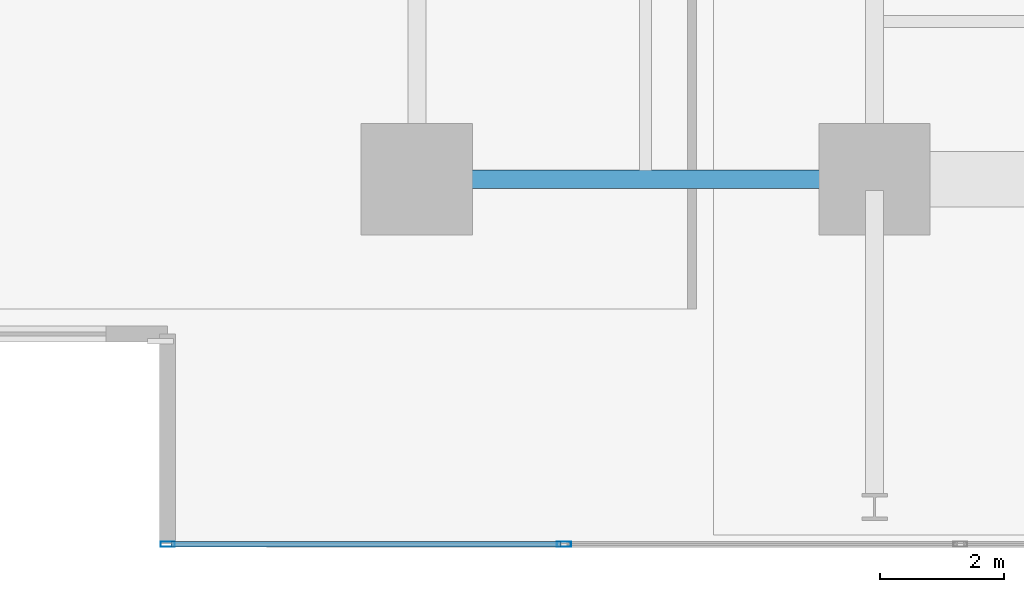
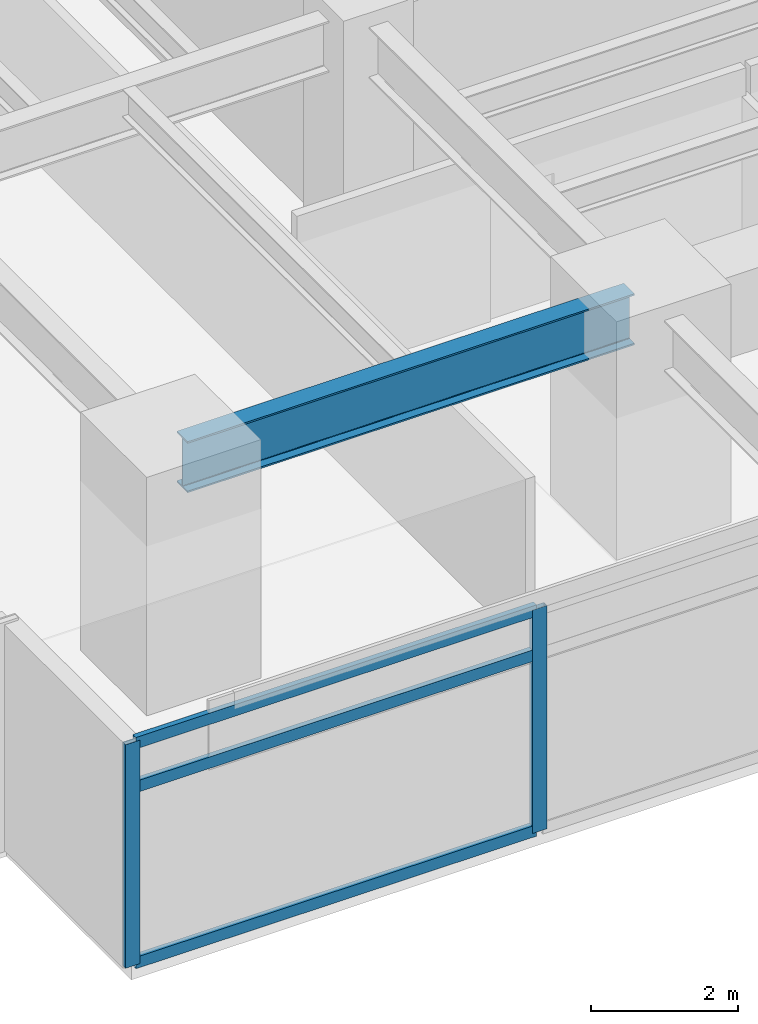
# One storey, part 2 of 22: 5 members, 1 beam, 1 element without a shape of its own.
"""IFC4 building model written with IfcOpenShell, lengths in metres."""

from ifc_helpers import new_model, si_unit, direction, frame, origin, origin_2d, place, context, subcontext, project, spatial, hollow_rectangle, i_section, extrude, material, material_profile, profile_set, type_object, element, aggregate, save


model = new_model("IFC4")

# Units and contexts
model_context = context("Model", 3, precision=1e-05, world=origin(), true_north=direction((0.0, 1.0)))
body_context = subcontext(model_context, "Body", "Model", "MODEL_VIEW")
ifc_project = project(units=[si_unit("LENGTHUNIT", "METRE"), si_unit("AREAUNIT", "SQUARE_METRE"), si_unit("VOLUMEUNIT", "CUBIC_METRE"), si_unit("PLANEANGLEUNIT", "RADIAN"), si_unit("MASSUNIT", "GRAM", prefix="KILO")], contexts=[model_context])

# Site, building, storey
site_placement = place(None, origin())
site = spatial("IfcSite", under=ifc_project, at=site_placement, CompositionType="ELEMENT")
building_placement = place(site_placement, origin())
building = spatial("IfcBuilding", under=site, at=building_placement, Name="Kovane Verandah Tower", CompositionType="ELEMENT")
storey_placement = place(building_placement, frame((0.0, 0.0, 79.60009765625)))
storey = spatial("IfcBuildingStorey", under=building, at=storey_placement, Name="L18", CompositionType="ELEMENT", Elevation=79.60009765625)

# Beam
ifc_material_1 = material(Name="Steel S355", Category="steel")
ifc_material_profile_1 = material_profile(ifc_material_1, i_section(OverallWidth=0.293701171875, OverallDepth=0.850830078125, WebThickness=0.01611328125, FlangeThickness=0.02685546875, FilletRadius=0.017822265625, at=origin_2d()), Name="UB838x292x226")
ifc_profile_set_1 = profile_set([ifc_material_profile_1], Name="Steel S355")
beam_type = type_object("IfcBeamType", Name="BM-UB838x226", PredefinedType="BEAM", material=ifc_profile_set_1)
beam_placement = place(storey_placement, frame((21.780029296875, 10.800048828125, 3.33447265625), z_axis=(1.0, 0.0, 0.0), x_axis=(0.0, 1.0, 0.0)))
element("IfcBeam", 1, at=beam_placement, inside=storey, type_object=beam_type, Name="L18 Primary Tower Girder G-RS1", PredefinedType="BEAM", context=body_context, shape_type="SweptSolid", body=[
    extrude(i_section(OverallWidth=0.293701171875, OverallDepth=0.850830078125, WebThickness=0.01611328125, FlangeThickness=0.02685546875, FilletRadius=0.017822265625, at=origin_2d()), origin(), (0.0, 0.0, 1.0), 7.0400390625),
])

# Curtain wall, members
ifc_material_2 = material(Name="Champagne Anodised Aluminium Frame with Low-E Clear Laminated Glass", Category="aluminium")
curtain_wall_type = type_object("IfcCurtainWallType", Name="CW-SYS-02-LOW", PredefinedType="NOTDEFINED", material=ifc_material_2)
curtain_wall_placement = place(storey_placement, origin())
curtain_wall = element("IfcCurtainWall", 2, at=curtain_wall_placement, inside=storey, type_object=curtain_wall_type, Name="L18 S Unitised Curtain Wall", PredefinedType="NOTDEFINED")
ifc_material_3 = material(Name="Champagne Anodised Aluminium 6063-T6", Category="aluminium")
ifc_material_profile_2 = material_profile(ifc_material_3, hollow_rectangle(XDim=0.0849609375, YDim=0.22998046875, WallThickness=0.00390625, at=origin_2d()), Name="AL85x230x4")
ifc_profile_set_2 = profile_set([ifc_material_profile_2], Name="Champagne Anodised Aluminium 6063-T6")
member_type_1 = type_object("IfcMemberType", Name="CW-MUL-85x230", PredefinedType="MULLION", material=ifc_profile_set_2)
member_1_placement = place(storey_placement, frame((17.5712890625, 4.89990234375, 0.02001953125), z_axis=(0.0, 0.0, 1.0), x_axis=(0.0, -1.0, 0.0)))
member_1 = element("IfcMember", 3, at=member_1_placement, type_object=member_type_1, Name="L18 S Unitised Curtain Wall Mullion 1", PredefinedType="MULLION", context=body_context, shape_type="SweptSolid", body=[
    extrude(hollow_rectangle(XDim=0.0849609375, YDim=0.22998046875, WallThickness=0.00390625, at=origin_2d()), origin(), (0.0, 0.0, 1.0), 3.719970703125),
])
member_2_placement = place(storey_placement, frame((23.9794921875, 4.89990234375, 0.02001953125), z_axis=(0.0, 0.0, 1.0), x_axis=(0.0, -1.0, 0.0)))
member_2 = element("IfcMember", 4, at=member_2_placement, type_object=member_type_1, Name="L18 S Unitised Curtain Wall Mullion 2", PredefinedType="MULLION", context=body_context, shape_type="SweptSolid", body=[
    extrude(hollow_rectangle(XDim=0.0849609375, YDim=0.22998046875, WallThickness=0.00390625, at=origin_2d()), origin(), (0.0, 0.0, 1.0), 3.719970703125),
])
ifc_material_profile_3 = material_profile(ifc_material_3, hollow_rectangle(XDim=0.0849609375, YDim=0.18994140625, WallThickness=0.00390625, at=origin_2d()), Name="AL85x190x4")
ifc_profile_set_3 = profile_set([ifc_material_profile_3], Name="Champagne Anodised Aluminium 6063-T6")
member_type_2 = type_object("IfcMemberType", Name="CW-TRN-85x190", PredefinedType="USERDEFINED", material=ifc_profile_set_3)
member_3_placement = place(storey_placement, frame((17.621337890625, 4.89990234375, 0.0498046875), z_axis=(1.0, 0.0, 0.0), x_axis=(0.0, 1.0, 0.0)))
member_3 = element("IfcMember", 5, at=member_3_placement, type_object=member_type_2, Name="L18 S Unitised Curtain Wall Transom TB Bay 1", ObjectType="TRANSOM", PredefinedType="USERDEFINED", context=body_context, shape_type="SweptSolid", body=[
    extrude(hollow_rectangle(XDim=0.0849609375, YDim=0.18994140625, WallThickness=0.00390625, at=origin_2d()), origin(), (0.0, 0.0, 1.0), 6.30810546875),
])
member_4_placement = place(storey_placement, frame((17.621337890625, 4.89990234375, 2.97998046875), z_axis=(1.0, 0.0, 0.0), x_axis=(0.0, 1.0, 0.0)))
member_4 = element("IfcMember", 6, at=member_4_placement, type_object=member_type_2, Name="L18 S Unitised Curtain Wall Transom TM Bay 1", ObjectType="TRANSOM", PredefinedType="USERDEFINED", context=body_context, shape_type="SweptSolid", body=[
    extrude(hollow_rectangle(XDim=0.0849609375, YDim=0.18994140625, WallThickness=0.00390625, at=origin_2d()), origin(), (0.0, 0.0, 1.0), 6.30810546875),
])
member_5_placement = place(storey_placement, frame((17.621337890625, 4.89990234375, 3.7099609375), z_axis=(1.0, 0.0, 0.0), x_axis=(0.0, 1.0, 0.0)))
member_5 = element("IfcMember", 7, at=member_5_placement, type_object=member_type_2, Name="L18 S Unitised Curtain Wall Transom TT Bay 1", ObjectType="TRANSOM", PredefinedType="USERDEFINED", context=body_context, shape_type="SweptSolid", body=[
    extrude(hollow_rectangle(XDim=0.0849609375, YDim=0.18994140625, WallThickness=0.00390625, at=origin_2d()), origin(), (0.0, 0.0, 1.0), 6.30810546875),
])
aggregate(curtain_wall, [member_1, member_2, member_3, member_4, member_5])

save(model, "model.ifc")
